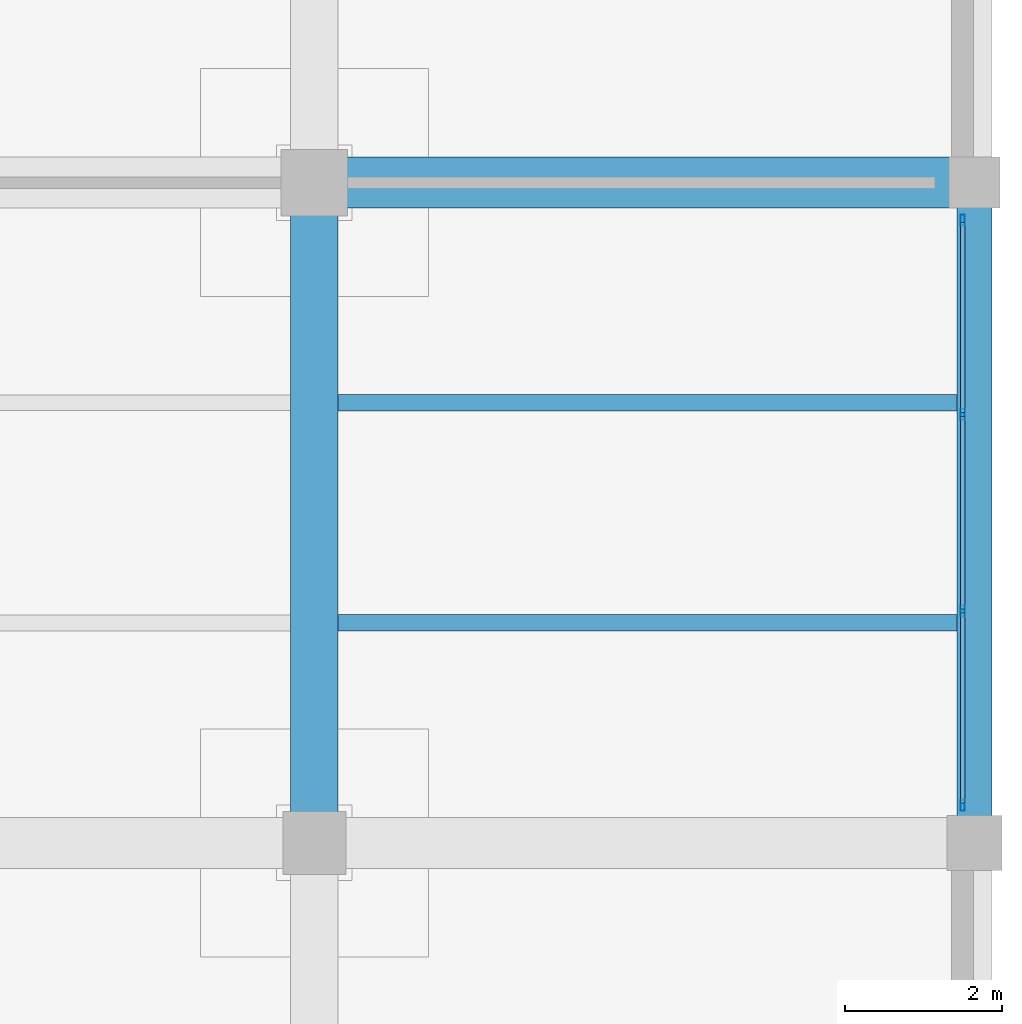
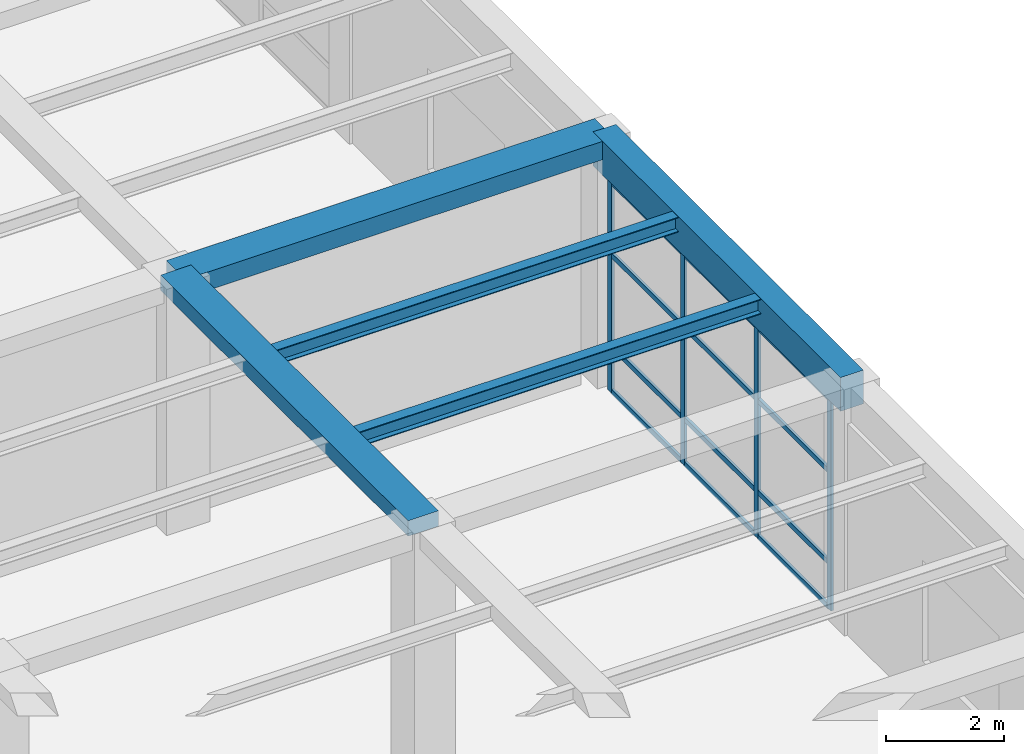
# One storey, part 56 of 96: 16 members, 5 beams, 1 element without a shape of its own.
"""IFC4 building model written with IfcOpenShell, lengths in metres."""

from ifc_helpers import new_model, si_unit, direction, frame, origin, origin_2d, place, context, subcontext, project, spatial, rectangle, hollow_rectangle, i_section, extrude, material, material_profile, profile_set, type_object, element, aggregate, save


model = new_model("IFC4")

# Units and contexts
model_context = context("Model", 3, precision=1e-05, world=origin(), true_north=direction((0.0, 1.0)))
body_context = subcontext(model_context, "Body", "Model", "MODEL_VIEW")
ifc_project = project(units=[si_unit("LENGTHUNIT", "METRE"), si_unit("AREAUNIT", "SQUARE_METRE"), si_unit("VOLUMEUNIT", "CUBIC_METRE"), si_unit("PLANEANGLEUNIT", "RADIAN"), si_unit("MASSUNIT", "GRAM", prefix="KILO")], contexts=[model_context])

# Site, building, storey
site_placement = place(None, origin())
site = spatial("IfcSite", under=ifc_project, at=site_placement, CompositionType="ELEMENT")
building_placement = place(site_placement, origin())
building = spatial("IfcBuilding", under=site, at=building_placement, Name="Almacenes y Pasaje Nevantli", CompositionType="ELEMENT")
storey_placement = place(building_placement, frame((0.0, 0.0, 6.0)))
storey = spatial("IfcBuildingStorey", under=building, at=storey_placement, Name="L02", CompositionType="ELEMENT", Elevation=6.0)

# Beams
ifc_material_1 = material(Name="Concrete C35/45", Category="concrete")
ifc_material_profile_1 = material_profile(ifc_material_1, rectangle(XDim=0.449951171875, YDim=0.699951171875, at=origin_2d()), Name="RC-BM-450x700")
ifc_profile_set_1 = profile_set([ifc_material_profile_1], Name="Concrete C35/45")
beam_type_1 = type_object("IfcBeamType", Name="BM-RC-450x700", PredefinedType="SPANDREL", material=ifc_profile_set_1)
beam_1_placement = place(storey_placement, frame((168.0, 67.199951171875, 4.75), z_axis=(0.0, 1.0, 0.0), x_axis=(-1.0, 0.0, 0.0)))
element("IfcBeam", 1, at=beam_1_placement, inside=storey, type_object=beam_type_1, Name="L02 North-South Reinforced Concrete Beam #2197", PredefinedType="SPANDREL", context=body_context, shape_type="SweptSolid", body=[
    extrude(rectangle(XDim=0.449951171875, YDim=0.699951171875, at=origin_2d()), origin(), (0.0, 0.0, 1.0), 8.400146484375),
])
ifc_material_2 = material(Name="Concrete C35/45", Category="concrete")
ifc_material_profile_2 = material_profile(ifc_material_2, rectangle(XDim=0.60009765625, YDim=0.320068359375, at=origin_2d()), Name="RC-BM-600x320")
ifc_profile_set_2 = profile_set([ifc_material_profile_2], Name="Concrete C35/45")
beam_type_2 = type_object("IfcBeamType", Name="BM-RC-600x320", PredefinedType="BEAM", material=ifc_profile_set_2)
beam_2_placement = place(storey_placement, frame((159.60009765625, 67.199951171875, 4.93994140625), z_axis=(0.0, 1.0, 0.0), x_axis=(-1.0, 0.0, 0.0)))
element("IfcBeam", 2, at=beam_2_placement, inside=storey, type_object=beam_type_2, Name="L02 North-South Reinforced Concrete Beam #2183", PredefinedType="BEAM", context=body_context, shape_type="SweptSolid", body=[
    extrude(rectangle(XDim=0.60009765625, YDim=0.320068359375, at=origin_2d()), origin(), (0.0, 0.0, 1.0), 8.400146484375),
])
ifc_material_3 = material(Name="Concrete C35/45", Category="concrete")
ifc_material_profile_3 = material_profile(ifc_material_3, rectangle(XDim=0.64990234375, YDim=0.3798828125, at=origin_2d()), Name="RC-BM-650x380")
ifc_profile_set_3 = profile_set([ifc_material_profile_3], Name="Concrete C35/45")
beam_type_3 = type_object("IfcBeamType", Name="BM-RC-650x380", PredefinedType="BEAM", material=ifc_profile_set_3)
beam_3_placement = place(storey_placement, frame((159.60009765625, 75.60009765625, 4.909912109375), z_axis=(1.0, 0.0, 0.0), x_axis=(0.0, 1.0, 0.0)))
element("IfcBeam", 3, at=beam_3_placement, inside=storey, type_object=beam_type_3, Name="L02 East-West Reinforced Concrete Beam #1877", PredefinedType="BEAM", context=body_context, shape_type="SweptSolid", body=[
    extrude(rectangle(XDim=0.64990234375, YDim=0.3798828125, at=origin_2d()), origin(), (0.0, 0.0, 1.0), 8.39990234375),
])
ifc_material_4 = material(Name="Steel ASTM A992", Category="steel")
ifc_material_profile_4 = material_profile(ifc_material_4, i_section(OverallWidth=0.205078125, OverallDepth=0.31005859375, WebThickness=0.009521484375, FlangeThickness=0.016357421875, at=origin_2d()), Name="IR 305x74.4")
ifc_profile_set_4 = profile_set([ifc_material_profile_4], Name="Steel ASTM A992")
beam_type_4 = type_object("IfcBeamType", Name="BM-STL-IR-305x74p4", PredefinedType="JOIST", material=ifc_profile_set_4)
for number, where, z_axis, x_axis, name in (
    (4, (159.89990234375, 70.0, 4.93701171875), (1.0, 0.0, 0.0), (0.0, 1.0, 0.0), "L02 Secondary Steel Floor Joist #665"),
    (5, (159.89990234375, 72.800048828125, 4.93701171875), (1.0, 0.0, 0.0), (0.0, 1.0, 0.0), "L02 Secondary Steel Floor Joist #666"),
):
    element("IfcBeam", number, at=place(storey_placement, frame(where, z_axis=z_axis, x_axis=x_axis)), inside=storey, type_object=beam_type_4, Name=name, PredefinedType="JOIST", context=body_context, shape_type="SweptSolid", body=[
        extrude(i_section(OverallWidth=0.205078125, OverallDepth=0.31005859375, WebThickness=0.009521484375, FlangeThickness=0.016357421875, at=origin_2d()), origin(), (0.0, 0.0, 1.0), 7.875),
    ])

# Curtain wall, members
ifc_material_5 = material(Name="Thermally Broken Aluminium and Low-E Glass", Category="aluminium")
curtain_wall_type = type_object("IfcCurtainWallType", Name="CW-UNIT-PODIUM", PredefinedType="USERDEFINED", material=ifc_material_5)
curtain_wall_placement = place(storey_placement, origin())
curtain_wall = element("IfcCurtainWall", 6, at=curtain_wall_placement, inside=storey, type_object=curtain_wall_type, Name="L02 East Office Wing Curtain Wall Bay 9", ObjectType="UNITIZED CURTAIN WALL", PredefinedType="USERDEFINED")
ifc_material_6 = material(Name="Thermally Broken Anodized Aluminium", Category="aluminium")
ifc_material_profile_5 = material_profile(ifc_material_6, hollow_rectangle(XDim=0.054931640625, YDim=0.139892578125, WallThickness=0.00341796875, at=origin_2d()), Name="ALU-MUL-55x140")
ifc_profile_set_5 = profile_set([ifc_material_profile_5], Name="Thermally Broken Anodized Aluminium")
member_type_1 = type_object("IfcMemberType", Name="CW-MUL-160", PredefinedType="MULLION", material=ifc_profile_set_5)
member_1_placement = place(storey_placement, frame((167.85009765625, 67.677490234375, 0.0), z_axis=(0.0, 0.0, 1.0), x_axis=(-1.0, 0.0, 0.0)))
member_1 = element("IfcMember", 7, at=member_1_placement, type_object=member_type_1, Name="CW-L02-022 mullion 1", PredefinedType="MULLION", context=body_context, shape_type="SweptSolid", body=[
    extrude(hollow_rectangle(XDim=0.054931640625, YDim=0.139892578125, WallThickness=0.00341796875, at=origin_2d()), origin(), (0.0, 0.0, 1.0), 4.3798828125),
])
member_2_placement = place(storey_placement, frame((167.85009765625, 70.14990234375, 0.0), z_axis=(0.0, 0.0, 1.0), x_axis=(-1.0, 0.0, 0.0)))
member_2 = element("IfcMember", 8, at=member_2_placement, type_object=member_type_1, Name="CW-L02-022 mullion 2", PredefinedType="MULLION", context=body_context, shape_type="SweptSolid", body=[
    extrude(hollow_rectangle(XDim=0.054931640625, YDim=0.139892578125, WallThickness=0.00341796875, at=origin_2d()), origin(), (0.0, 0.0, 1.0), 4.3798828125),
])
member_3_placement = place(storey_placement, frame((167.85009765625, 72.64990234375, 0.0), z_axis=(0.0, 0.0, 1.0), x_axis=(-1.0, 0.0, 0.0)))
member_3 = element("IfcMember", 9, at=member_3_placement, type_object=member_type_1, Name="CW-L02-022 mullion 3", PredefinedType="MULLION", context=body_context, shape_type="SweptSolid", body=[
    extrude(hollow_rectangle(XDim=0.054931640625, YDim=0.139892578125, WallThickness=0.00341796875, at=origin_2d()), origin(), (0.0, 0.0, 1.0), 4.3798828125),
])
member_4_placement = place(storey_placement, frame((167.85009765625, 75.12255859375, 0.0), z_axis=(0.0, 0.0, 1.0), x_axis=(-1.0, 0.0, 0.0)))
member_4 = element("IfcMember", 10, at=member_4_placement, type_object=member_type_1, Name="CW-L02-022 mullion 4", PredefinedType="MULLION", context=body_context, shape_type="SweptSolid", body=[
    extrude(hollow_rectangle(XDim=0.054931640625, YDim=0.139892578125, WallThickness=0.00341796875, at=origin_2d()), origin(), (0.0, 0.0, 1.0), 4.3798828125),
])
ifc_material_7 = material(Name="Thermally Broken Anodized Aluminium", Category="aluminium")
ifc_material_profile_6 = material_profile(ifc_material_7, hollow_rectangle(XDim=0.054931640625, YDim=0.10498046875, WallThickness=0.003173828125, at=origin_2d()), Name="ALU-TRN-55x105")
ifc_profile_set_6 = profile_set([ifc_material_profile_6], Name="Thermally Broken Anodized Aluminium")
member_type_2 = type_object("IfcMemberType", Name="CW-TRN-120", PredefinedType="USERDEFINED", material=ifc_profile_set_6)
member_5_placement = place(storey_placement, frame((167.85009765625, 67.705078125, 0.027587890625), z_axis=(0.0, 1.0, 0.0), x_axis=(-1.0, 0.0, 0.0)))
member_5 = element("IfcMember", 11, at=member_5_placement, type_object=member_type_2, Name="CW-L02-022 transom 1.1", ObjectType="TRANSOM", PredefinedType="USERDEFINED", context=body_context, shape_type="SweptSolid", body=[
    extrude(hollow_rectangle(XDim=0.054931640625, YDim=0.10498046875, WallThickness=0.003173828125, at=origin_2d()), origin(), (0.0, 0.0, 1.0), 2.41748046875),
])
member_6_placement = place(storey_placement, frame((167.85009765625, 67.705078125, 0.949951171875), z_axis=(0.0, 1.0, 0.0), x_axis=(-1.0, 0.0, 0.0)))
member_6 = element("IfcMember", 12, at=member_6_placement, type_object=member_type_2, Name="CW-L02-022 transom 1.2", ObjectType="TRANSOM", PredefinedType="USERDEFINED", context=body_context, shape_type="SweptSolid", body=[
    extrude(hollow_rectangle(XDim=0.054931640625, YDim=0.10498046875, WallThickness=0.003173828125, at=origin_2d()), origin(), (0.0, 0.0, 1.0), 2.41748046875),
])
member_7_placement = place(storey_placement, frame((167.85009765625, 67.705078125, 2.85009765625), z_axis=(0.0, 1.0, 0.0), x_axis=(-1.0, 0.0, 0.0)))
member_7 = element("IfcMember", 13, at=member_7_placement, type_object=member_type_2, Name="CW-L02-022 transom 1.3", ObjectType="TRANSOM", PredefinedType="USERDEFINED", context=body_context, shape_type="SweptSolid", body=[
    extrude(hollow_rectangle(XDim=0.054931640625, YDim=0.10498046875, WallThickness=0.003173828125, at=origin_2d()), origin(), (0.0, 0.0, 1.0), 2.41748046875),
])
member_8_placement = place(storey_placement, frame((167.85009765625, 67.705078125, 4.3525390625), z_axis=(0.0, 1.0, 0.0), x_axis=(-1.0, 0.0, 0.0)))
member_8 = element("IfcMember", 14, at=member_8_placement, type_object=member_type_2, Name="CW-L02-022 transom 1.4", ObjectType="TRANSOM", PredefinedType="USERDEFINED", context=body_context, shape_type="SweptSolid", body=[
    extrude(hollow_rectangle(XDim=0.054931640625, YDim=0.10498046875, WallThickness=0.003173828125, at=origin_2d()), origin(), (0.0, 0.0, 1.0), 2.41748046875),
])
member_9_placement = place(storey_placement, frame((167.85009765625, 70.177490234375, 0.027587890625), z_axis=(0.0, 1.0, 0.0), x_axis=(-1.0, 0.0, 0.0)))
member_9 = element("IfcMember", 15, at=member_9_placement, type_object=member_type_2, Name="CW-L02-022 transom 2.1", ObjectType="TRANSOM", PredefinedType="USERDEFINED", context=body_context, shape_type="SweptSolid", body=[
    extrude(hollow_rectangle(XDim=0.054931640625, YDim=0.10498046875, WallThickness=0.003173828125, at=origin_2d()), origin(), (0.0, 0.0, 1.0), 2.445068359375),
])
member_10_placement = place(storey_placement, frame((167.85009765625, 70.177490234375, 0.949951171875), z_axis=(0.0, 1.0, 0.0), x_axis=(-1.0, 0.0, 0.0)))
member_10 = element("IfcMember", 16, at=member_10_placement, type_object=member_type_2, Name="CW-L02-022 transom 2.2", ObjectType="TRANSOM", PredefinedType="USERDEFINED", context=body_context, shape_type="SweptSolid", body=[
    extrude(hollow_rectangle(XDim=0.054931640625, YDim=0.10498046875, WallThickness=0.003173828125, at=origin_2d()), origin(), (0.0, 0.0, 1.0), 2.445068359375),
])
member_11_placement = place(storey_placement, frame((167.85009765625, 70.177490234375, 2.85009765625), z_axis=(0.0, 1.0, 0.0), x_axis=(-1.0, 0.0, 0.0)))
member_11 = element("IfcMember", 17, at=member_11_placement, type_object=member_type_2, Name="CW-L02-022 transom 2.3", ObjectType="TRANSOM", PredefinedType="USERDEFINED", context=body_context, shape_type="SweptSolid", body=[
    extrude(hollow_rectangle(XDim=0.054931640625, YDim=0.10498046875, WallThickness=0.003173828125, at=origin_2d()), origin(), (0.0, 0.0, 1.0), 2.445068359375),
])
member_12_placement = place(storey_placement, frame((167.85009765625, 70.177490234375, 4.3525390625), z_axis=(0.0, 1.0, 0.0), x_axis=(-1.0, 0.0, 0.0)))
member_12 = element("IfcMember", 18, at=member_12_placement, type_object=member_type_2, Name="CW-L02-022 transom 2.4", ObjectType="TRANSOM", PredefinedType="USERDEFINED", context=body_context, shape_type="SweptSolid", body=[
    extrude(hollow_rectangle(XDim=0.054931640625, YDim=0.10498046875, WallThickness=0.003173828125, at=origin_2d()), origin(), (0.0, 0.0, 1.0), 2.445068359375),
])
member_13_placement = place(storey_placement, frame((167.85009765625, 72.677490234375, 0.027587890625), z_axis=(0.0, 1.0, 0.0), x_axis=(-1.0, 0.0, 0.0)))
member_13 = element("IfcMember", 19, at=member_13_placement, type_object=member_type_2, Name="CW-L02-022 transom 3.1", ObjectType="TRANSOM", PredefinedType="USERDEFINED", context=body_context, shape_type="SweptSolid", body=[
    extrude(hollow_rectangle(XDim=0.054931640625, YDim=0.10498046875, WallThickness=0.003173828125, at=origin_2d()), origin(), (0.0, 0.0, 1.0), 2.41748046875),
])
member_14_placement = place(storey_placement, frame((167.85009765625, 72.677490234375, 0.949951171875), z_axis=(0.0, 1.0, 0.0), x_axis=(-1.0, 0.0, 0.0)))
member_14 = element("IfcMember", 20, at=member_14_placement, type_object=member_type_2, Name="CW-L02-022 transom 3.2", ObjectType="TRANSOM", PredefinedType="USERDEFINED", context=body_context, shape_type="SweptSolid", body=[
    extrude(hollow_rectangle(XDim=0.054931640625, YDim=0.10498046875, WallThickness=0.003173828125, at=origin_2d()), origin(), (0.0, 0.0, 1.0), 2.41748046875),
])
member_15_placement = place(storey_placement, frame((167.85009765625, 72.677490234375, 2.85009765625), z_axis=(0.0, 1.0, 0.0), x_axis=(-1.0, 0.0, 0.0)))
member_15 = element("IfcMember", 21, at=member_15_placement, type_object=member_type_2, Name="CW-L02-022 transom 3.3", ObjectType="TRANSOM", PredefinedType="USERDEFINED", context=body_context, shape_type="SweptSolid", body=[
    extrude(hollow_rectangle(XDim=0.054931640625, YDim=0.10498046875, WallThickness=0.003173828125, at=origin_2d()), origin(), (0.0, 0.0, 1.0), 2.41748046875),
])
member_16_placement = place(storey_placement, frame((167.85009765625, 72.677490234375, 4.3525390625), z_axis=(0.0, 1.0, 0.0), x_axis=(-1.0, 0.0, 0.0)))
member_16 = element("IfcMember", 22, at=member_16_placement, type_object=member_type_2, Name="CW-L02-022 transom 3.4", ObjectType="TRANSOM", PredefinedType="USERDEFINED", context=body_context, shape_type="SweptSolid", body=[
    extrude(hollow_rectangle(XDim=0.054931640625, YDim=0.10498046875, WallThickness=0.003173828125, at=origin_2d()), origin(), (0.0, 0.0, 1.0), 2.41748046875),
])
aggregate(curtain_wall, [member_1, member_2, member_3, member_4, member_5, member_6, member_7, member_8, member_9, member_10, member_11, member_12, member_13, member_14, member_15, member_16])

save(model, "model.ifc")
